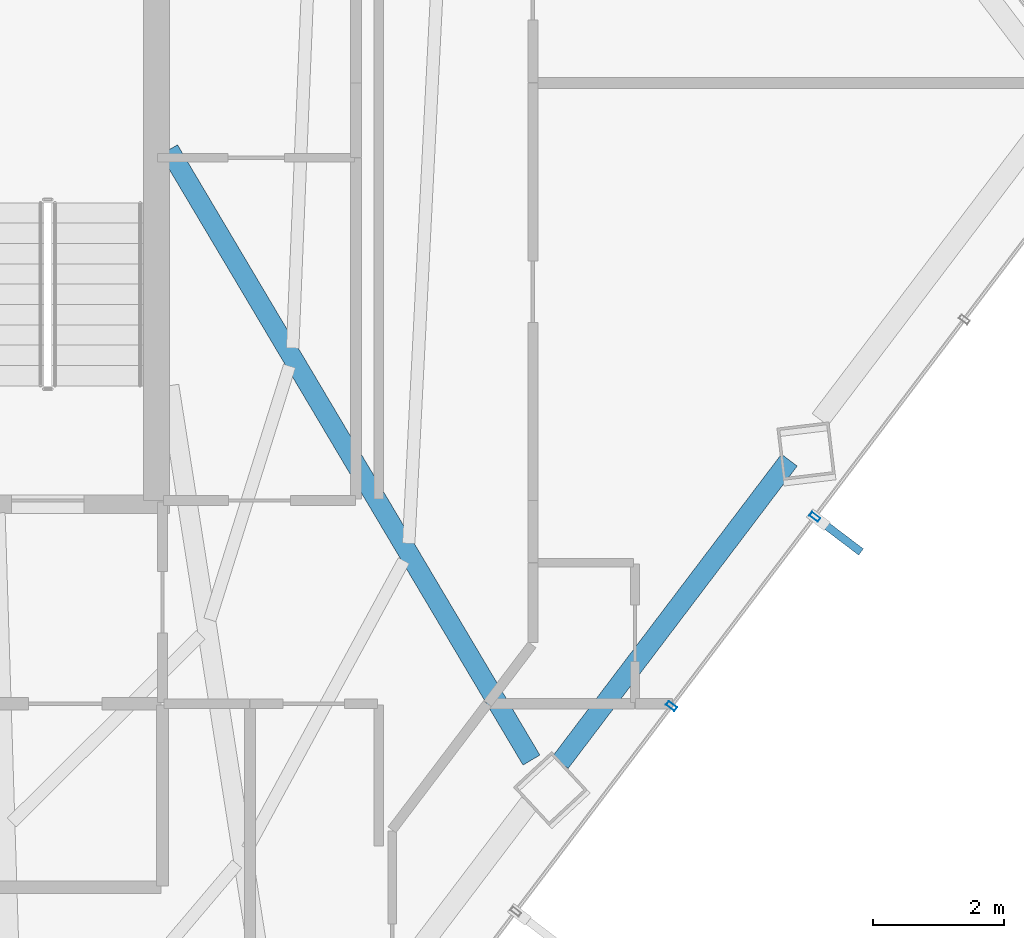
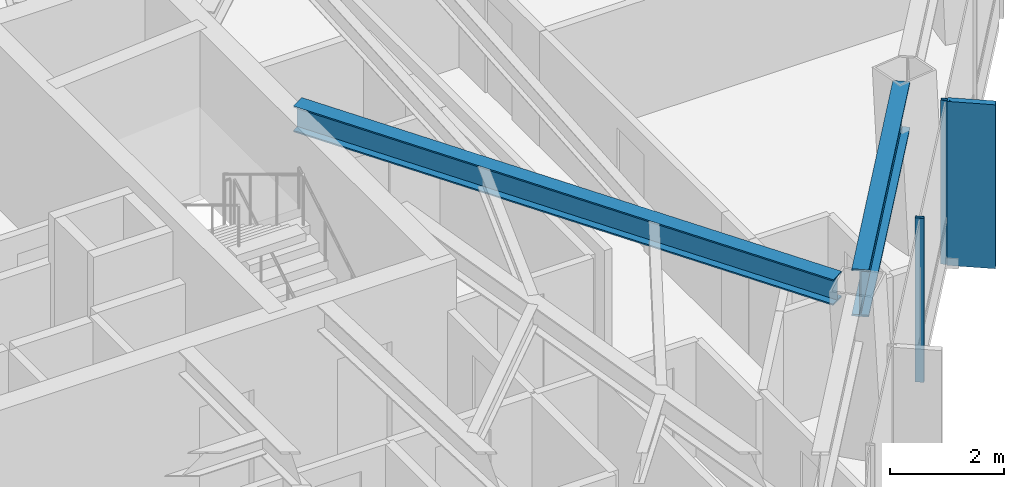
# One storey, part 19 of 29: 3 members, 2 beams, 1 element without a shape of its own.
"""IFC4 building model written with IfcOpenShell, lengths in metres."""

from ifc_helpers import new_model, si_unit, direction, frame, origin, origin_2d, place, context, subcontext, project, spatial, rectangle, hollow_rectangle, i_section, extrude, material, layer, layer_set, material_profile, profile_set, type_object, element, aggregate, save


model = new_model("IFC4")

# Units and contexts
model_context = context("Model", 3, precision=1e-05, world=origin(), true_north=direction((0.0, 1.0)))
body_context = subcontext(model_context, "Body", "Model", "MODEL_VIEW")
ifc_project = project(units=[si_unit("LENGTHUNIT", "METRE"), si_unit("AREAUNIT", "SQUARE_METRE"), si_unit("VOLUMEUNIT", "CUBIC_METRE"), si_unit("PLANEANGLEUNIT", "RADIAN"), si_unit("MASSUNIT", "GRAM", prefix="KILO")], contexts=[model_context])

# Site, building, storey
site_placement = place(None, origin())
site = spatial("IfcSite", under=ifc_project, at=site_placement, CompositionType="ELEMENT")
building_placement = place(site_placement, origin())
building = spatial("IfcBuilding", under=site, at=building_placement, Name="Zarrinselat Tower", CompositionType="ELEMENT")
storey_placement = place(building_placement, frame((0.0, 0.0, 142.1201171875)))
storey = spatial("IfcBuildingStorey", under=building, at=storey_placement, Name="L34", CompositionType="ELEMENT", Elevation=142.1201171875)

# Beams
ifc_material_1 = material(Name="Steel S355J2", Category="steel")
ifc_material_profile_1 = material_profile(ifc_material_1, i_section(OverallWidth=0.300048828125, OverallDepth=0.550048828125, WebThickness=0.014892578125, FlangeThickness=0.029052734375, at=origin_2d()), Name="HEB 550")
ifc_profile_set_1 = profile_set([ifc_material_profile_1], Name="Steel S355J2")
beam_type_1 = type_object("IfcBeamType", Name="BM-HEB550", PredefinedType="BEAM", material=ifc_profile_set_1)
beam_1_placement = place(storey_placement, frame((48.449951171875, 38.60009765625, 3.224853515625), z_axis=(0.510577824319, -0.85983154473, 0.0), x_axis=(0.85983154473, 0.510577824319, 0.0)))
element("IfcBeam", 1, at=beam_1_placement, inside=storey, type_object=beam_type_1, Name="L34 Radial Primary Girder RG13", PredefinedType="BEAM", context=body_context, shape_type="SweptSolid", body=[
    extrude(i_section(OverallWidth=0.300048828125, OverallDepth=0.550048828125, WebThickness=0.014892578125, FlangeThickness=0.029052734375, at=origin_2d()), origin(), (0.0, 0.0, 1.0), 10.828125),
])
ifc_material_2 = material(Name="Steel S460M", Category="steel")
ifc_material_profile_2 = material_profile(ifc_material_2, i_section(OverallWidth=0.302001953125, OverallDepth=1.008056640625, WebThickness=0.02099609375, FlangeThickness=0.0400390625, at=origin_2d()), Name="HEM 1000")
ifc_profile_set_2 = profile_set([ifc_material_profile_2], Name="Steel S460M")
beam_type_2 = type_object("IfcBeamType", Name="BM-HEM1000", PredefinedType="BEAM", material=ifc_profile_set_2)
beam_2_placement = place(storey_placement, frame((54.418212890625, 29.25341796875, 2.995849609375), z_axis=(0.603840630408, 0.797105070281, 0.0), x_axis=(-0.797105070281, 0.603840630408, 0.0)))
element("IfcBeam", 2, at=beam_2_placement, inside=storey, type_object=beam_type_2, Name="L34 Perimeter Spandrel Girder SP13", PredefinedType="BEAM", context=body_context, shape_type="SweptSolid", body=[
    extrude(i_section(OverallWidth=0.302001953125, OverallDepth=1.008056640625, WebThickness=0.02099609375, FlangeThickness=0.0400390625, at=origin_2d()), origin(), (0.0, 0.0, 1.0), 5.786865234375),
])

# Curtain wall, members
ifc_material_3 = material(Name="Extruded Aluminium Alloy EN AW-6063 T6", Category="aluminium")
ifc_layer = layer(ifc_material_3, 0.175048828125)
ifc_layer_set = layer_set([ifc_layer], Name="Extruded Aluminium Alloy EN AW-6063 T6")
curtain_wall_type = type_object("IfcCurtainWallType", Name="CWS-HTL", PredefinedType="NOTDEFINED", material=ifc_layer_set)
curtain_wall_placement = place(storey_placement, origin())
curtain_wall = element("IfcCurtainWall", 3, at=curtain_wall_placement, inside=storey, type_object=curtain_wall_type, Name="L34 Unitised Curtain Wall CW-L34-E05", PredefinedType="NOTDEFINED")
ifc_material_4 = material(Name="Extruded Aluminium Alloy EN AW-6063 T6", Category="aluminium")
ifc_material_profile_3 = material_profile(ifc_material_4, hollow_rectangle(XDim=0.070068359375, YDim=0.159912109375, WallThickness=0.00390625, at=origin_2d()), Name="RHS 160x70x4")
ifc_profile_set_3 = profile_set([ifc_material_profile_3], Name="Extruded Aluminium Alloy EN AW-6063 T6")
member_type_1 = type_object("IfcMemberType", Name="MEM-CW-MUL2", PredefinedType="MULLION", material=ifc_profile_set_3)
member_1_placement = place(storey_placement, frame((56.114990234375, 30.11376953125, 0.0), z_axis=(0.0, 0.0, 1.0), x_axis=(0.603855794642, 0.797093582509, 0.0)))
member_1 = element("IfcMember", 4, at=member_1_placement, type_object=member_type_1, Name="CW-L34-E05 Mullion 6", PredefinedType="MULLION", context=body_context, shape_type="SweptSolid", body=[
    extrude(hollow_rectangle(XDim=0.070068359375, YDim=0.159912109375, WallThickness=0.00390625, at=origin_2d()), origin(), (0.0, 0.0, 1.0), 3.5),
])
member_2_placement = place(storey_placement, frame((58.30078125, 32.998779296875, 0.0), z_axis=(0.0, 0.0, 1.0), x_axis=(0.603855794642, 0.797093582509, 0.0)))
member_2 = element("IfcMember", 5, at=member_2_placement, type_object=member_type_1, Name="CW-L34-E05 Mullion 7", PredefinedType="MULLION", context=body_context, shape_type="SweptSolid", body=[
    extrude(hollow_rectangle(XDim=0.070068359375, YDim=0.159912109375, WallThickness=0.00390625, at=origin_2d()), origin(), (0.0, 0.0, 1.0), 3.5),
])
ifc_material_5 = material(Name="Honed Cream Travertine Stone", Category="masonry")
ifc_material_profile_4 = material_profile(ifc_material_5, rectangle(XDim=0.1201171875, YDim=0.85009765625, at=origin_2d()), Name="FIN 850x120")
ifc_profile_set_4 = profile_set([ifc_material_profile_4], Name="Honed Cream Travertine Stone")
member_type_2 = type_object("IfcMemberType", Name="MEM-STONE-FIN", PredefinedType="USERDEFINED", material=ifc_profile_set_4)
member_3_placement = place(storey_placement, frame((58.66748046875, 32.72119140625, 0.0), z_axis=(0.0, 0.0, 1.0), x_axis=(-0.603855794642, -0.797093582509, 0.0)))
member_3 = element("IfcMember", 6, at=member_3_placement, type_object=member_type_2, Name="L34 Stone Shading Fin CW-L34-E05-07", ObjectType="FIN", PredefinedType="USERDEFINED", context=body_context, shape_type="SweptSolid", body=[
    extrude(rectangle(XDim=0.1201171875, YDim=0.85009765625, at=origin_2d()), origin(), (0.0, 0.0, 1.0), 3.5),
])
aggregate(curtain_wall, [member_1, member_2, member_3])

save(model, "model.ifc")
